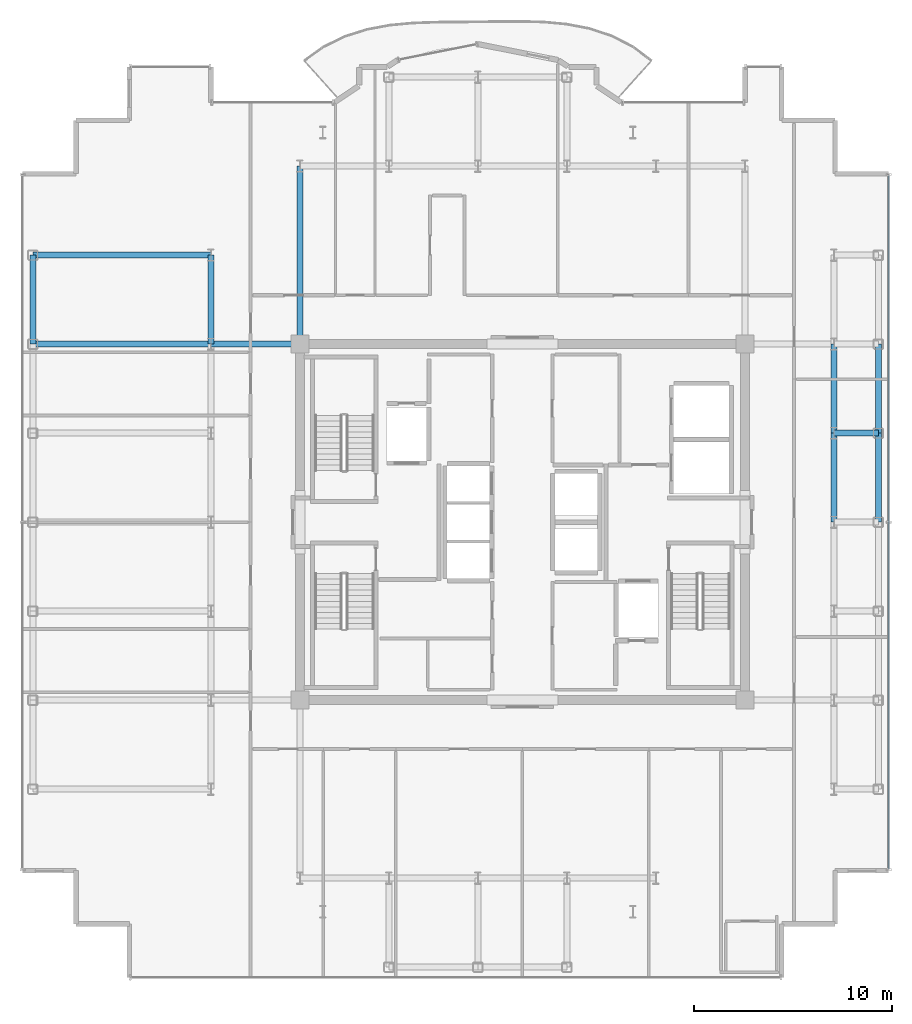
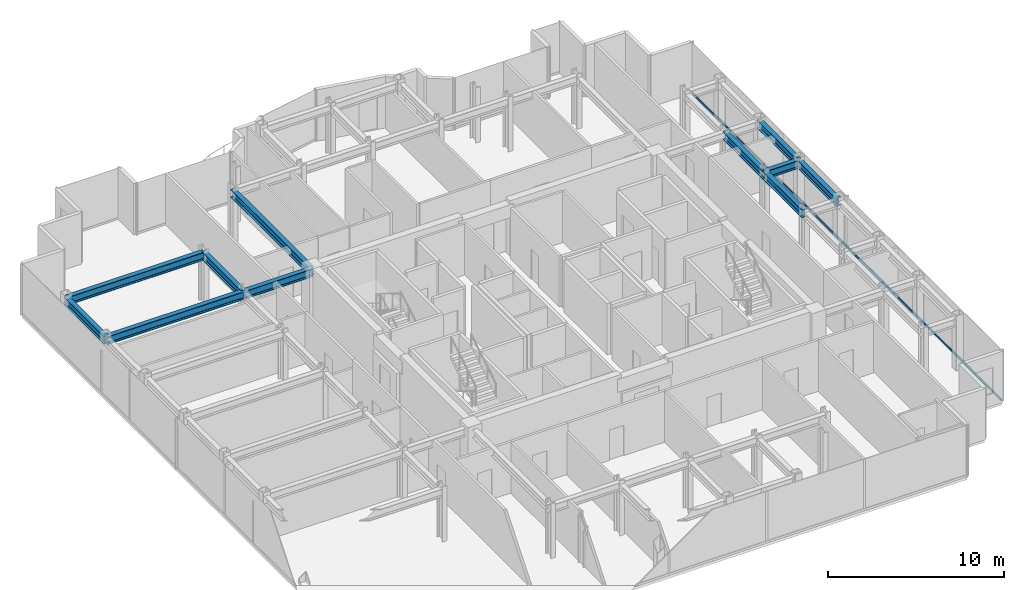
# One storey, part 8 of 18: 11 beams, 1 member, 1 element without a shape of its own.
"""IFC4 building model written with IfcOpenShell, lengths in metres."""

from ifc_helpers import new_model, si_unit, direction, frame, origin, origin_2d, place, context, subcontext, project, spatial, hollow_rectangle, i_section, extrude, source, transform, mapped, material, layer, layer_set, material_profile, profile_set, type_object, element, aggregate, save


model = new_model("IFC4")

# Units and contexts
model_context = context("Model", 3, precision=1e-05, world=origin(), true_north=direction((0.0, 1.0)))
body_context = subcontext(model_context, "Body", "Model", "MODEL_VIEW")
ifc_project = project(units=[si_unit("LENGTHUNIT", "METRE"), si_unit("AREAUNIT", "SQUARE_METRE"), si_unit("VOLUMEUNIT", "CUBIC_METRE"), si_unit("PLANEANGLEUNIT", "RADIAN"), si_unit("MASSUNIT", "GRAM", prefix="KILO")], contexts=[model_context])

# Site, building, storey
site_placement = place(None, origin())
site = spatial("IfcSite", under=ifc_project, at=site_placement, CompositionType="ELEMENT")
building_placement = place(site_placement, origin())
building = spatial("IfcBuilding", under=site, at=building_placement, Name="Nefas-Gora Pilgrimage Tower", CompositionType="ELEMENT")
storey_placement = place(building_placement, frame((0.0, 0.0, 306.39990234375)))
storey = spatial("IfcBuildingStorey", under=building, at=storey_placement, Name="L77", CompositionType="ELEMENT", Elevation=306.39990234375)

# Beams
ifc_material_1 = material(Name="Steel S355", Category="steel")
ifc_material_profile_1 = material_profile(ifc_material_1, i_section(OverallWidth=0.300048828125, OverallDepth=0.550048828125, WebThickness=0.014892578125, FlangeThickness=0.029052734375, FilletRadius=0.027099609375, at=origin_2d()), Name="HEB 550")
ifc_profile_set_1 = profile_set([ifc_material_profile_1], Name="Steel S355")
beam_type_1 = type_object("IfcBeamType", Name="BM-SPN-HEB400", PredefinedType="SPANDREL", material=ifc_profile_set_1)
shared_shape_1 = source(origin(), body_context, "Body", "SweptSolid", [
    extrude(i_section(OverallWidth=0.300048828125, OverallDepth=0.550048828125, WebThickness=0.014892578125, FlangeThickness=0.029052734375, FilletRadius=0.027099609375, at=origin_2d()), origin(), (0.0, 0.0, 1.0), 4.5),
])
for number, where, z_axis, x_axis, name in (
    (1, (-24.75, 9.0, 3.275146484375), (0.0, 1.0, 0.0), (-1.0, 0.0, 0.0), "L77 SP-04 beam"),
    (2, (18.0, 0.0, 3.275146484375), (0.0, 1.0, 0.0), (-1.0, 0.0, 0.0), "L77 SP-04 beam"),
    (3, (18.0, 4.5, 3.275146484375), (0.0, 1.0, 0.0), (-1.0, 0.0, 0.0), "L77 SP-04 beam"),
):
    element("IfcBeam", number, at=place(storey_placement, frame(where, z_axis=z_axis, x_axis=x_axis)), inside=storey, type_object=beam_type_1, Name=name, PredefinedType="SPANDREL", context=body_context, shape_type="MappedRepresentation", body=[
        mapped(shared_shape_1, transform((0.0, 0.0, 0.0), x_axis=(1.0, 0.0, 0.0), y_axis=(0.0, 1.0, 0.0), z_axis=(0.0, 0.0, 1.0), scale=1.0)),
    ])
ifc_material_profile_2 = material_profile(ifc_material_1, i_section(OverallWidth=0.300048828125, OverallDepth=0.550048828125, WebThickness=0.014892578125, FlangeThickness=0.029052734375, FilletRadius=0.027099609375, at=origin_2d()), Name="HEB 550")
ifc_profile_set_2 = profile_set([ifc_material_profile_2], Name="Steel S355")
beam_type_2 = type_object("IfcBeamType", Name="BM-GIR-HEB550", PredefinedType="BEAM", material=ifc_profile_set_2)
shared_shape_2 = source(origin(), body_context, "Body", "SweptSolid", [
    extrude(i_section(OverallWidth=0.300048828125, OverallDepth=0.550048828125, WebThickness=0.014892578125, FlangeThickness=0.029052734375, FilletRadius=0.027099609375, at=origin_2d()), origin(), (0.0, 0.0, 1.0), 9.0),
])
for number, where, z_axis, x_axis, name in (
    (4, (-24.75, 9.0, 3.275146484375), (1.0, 0.0, 0.0), (0.0, 1.0, 0.0), "L77 G-05 beam"),
    (5, (-24.75, 13.5, 3.275146484375), (1.0, 0.0, 0.0), (0.0, 1.0, 0.0), "L77 G-05 beam"),
    (6, (-11.25, 9.0, 3.275146484375), (0.0, 1.0, 0.0), (-1.0, 0.0, 0.0), "L77 G-05 beam"),
):
    element("IfcBeam", number, at=place(storey_placement, frame(where, z_axis=z_axis, x_axis=x_axis)), inside=storey, type_object=beam_type_2, Name=name, PredefinedType="BEAM", context=body_context, shape_type="MappedRepresentation", body=[
        mapped(shared_shape_2, transform((0.0, 0.0, 0.0), x_axis=(1.0, 0.0, 0.0), y_axis=(0.0, 1.0, 0.0), z_axis=(0.0, 0.0, 1.0), scale=1.0)),
    ])
shared_shape_3 = source(origin(), body_context, "Body", "SweptSolid", [
    extrude(i_section(OverallWidth=0.300048828125, OverallDepth=0.550048828125, WebThickness=0.014892578125, FlangeThickness=0.029052734375, FilletRadius=0.027099609375, at=origin_2d()), origin(), (0.0, 0.0, 1.0), 4.5),
])
for number, where, z_axis, x_axis, name in (
    (7, (-15.75, 9.0, 3.275146484375), (0.0, 1.0, 0.0), (-1.0, 0.0, 0.0), "L77 G-05 beam"),
    (8, (-15.75, 9.0, 3.275146484375), (1.0, 0.0, 0.0), (0.0, 1.0, 0.0), "L77 G-05 beam"),
    (9, (15.75, 0.0, 3.275146484375), (0.0, 1.0, 0.0), (-1.0, 0.0, 0.0), "L77 G-05 beam"),
    (10, (15.75, 4.5, 3.275146484375), (0.0, 1.0, 0.0), (-1.0, 0.0, 0.0), "L77 G-05 beam"),
):
    element("IfcBeam", number, at=place(storey_placement, frame(where, z_axis=z_axis, x_axis=x_axis)), inside=storey, type_object=beam_type_2, Name=name, PredefinedType="BEAM", context=body_context, shape_type="MappedRepresentation", body=[
        mapped(shared_shape_3, transform((0.0, 0.0, 0.0), x_axis=(1.0, 0.0, 0.0), y_axis=(0.0, 1.0, 0.0), z_axis=(0.0, 0.0, 1.0), scale=1.0)),
    ])
shared_shape_4 = source(origin(), body_context, "Body", "SweptSolid", [
    extrude(i_section(OverallWidth=0.300048828125, OverallDepth=0.550048828125, WebThickness=0.014892578125, FlangeThickness=0.029052734375, FilletRadius=0.027099609375, at=origin_2d()), origin(), (0.0, 0.0, 1.0), 2.25),
])
beam_placement = place(storey_placement, frame((15.75, 4.5, 3.275146484375), z_axis=(1.0, 0.0, 0.0), x_axis=(0.0, 1.0, 0.0)))
element("IfcBeam", 11, at=beam_placement, inside=storey, type_object=beam_type_2, Name="L77 G-05 beam", PredefinedType="BEAM", context=body_context, shape_type="MappedRepresentation", body=[
    mapped(shared_shape_4, transform((0.0, 0.0, 0.0), x_axis=(1.0, 0.0, 0.0), y_axis=(0.0, 1.0, 0.0), z_axis=(0.0, 0.0, 1.0), scale=1.0)),
])

# Curtain wall, member
ifc_material_2 = material(Name="Dark ceramic-fritted solar-control aluminium-glass curtain wall", Category="aluminium")
ifc_layer = layer(ifc_material_2, 0.219970703125)
ifc_layer_set = layer_set([ifc_layer], Name="Dark ceramic-fritted solar-control aluminium-glass curtain wall")
curtain_wall_type = type_object("IfcCurtainWallType", Name="CW-SYS-4", PredefinedType="NOTDEFINED", material=ifc_layer_set)
curtain_wall_placement = place(storey_placement, origin())
curtain_wall = element("IfcCurtainWall", 12, at=curtain_wall_placement, inside=storey, type_object=curtain_wall_type, Name="L77 Unitised Curtain Wall CW4", PredefinedType="NOTDEFINED")
ifc_material_3 = material(Name="Anodised architectural aluminium", Category="aluminium")
ifc_material_profile_3 = material_profile(ifc_material_3, hollow_rectangle(XDim=0.080078125, YDim=0.159912109375, WallThickness=0.00439453125, InnerFilletRadius=0.00439453125, OuterFilletRadius=0.009033203125, at=origin_2d()), Name="ALU TRANSOM 80x160")
ifc_profile_set_3 = profile_set([ifc_material_profile_3], Name="Anodised architectural aluminium")
member_type = type_object("IfcMemberType", Name="CWM-TRN-4", PredefinedType="USERDEFINED", material=ifc_profile_set_3)
shared_shape_5 = source(origin(), body_context, "Body", "SweptSolid", [
    extrude(hollow_rectangle(XDim=0.080078125, YDim=0.159912109375, WallThickness=0.00439453125, InnerFilletRadius=0.00439453125, OuterFilletRadius=0.009033203125, at=origin_2d()), origin(), (0.0, 0.0, 1.0), 35.06005859375),
])
member_placement = place(storey_placement, frame((18.52001953125, -17.530029296875, 0.050048828125), z_axis=(0.0, 1.0, 0.0), x_axis=(-1.0, 0.0, 0.0)))
member = element("IfcMember", 13, at=member_placement, type_object=member_type, Name="CW4 Spandrel Transom", ObjectType="TRANSOM", PredefinedType="USERDEFINED", context=body_context, shape_type="MappedRepresentation", body=[
    mapped(shared_shape_5, transform((0.0, 0.0, 0.0), x_axis=(1.0, 0.0, 0.0), y_axis=(0.0, 1.0, 0.0), z_axis=(0.0, 0.0, 1.0), scale=1.0)),
])
aggregate(curtain_wall, [member])

save(model, "model.ifc")
